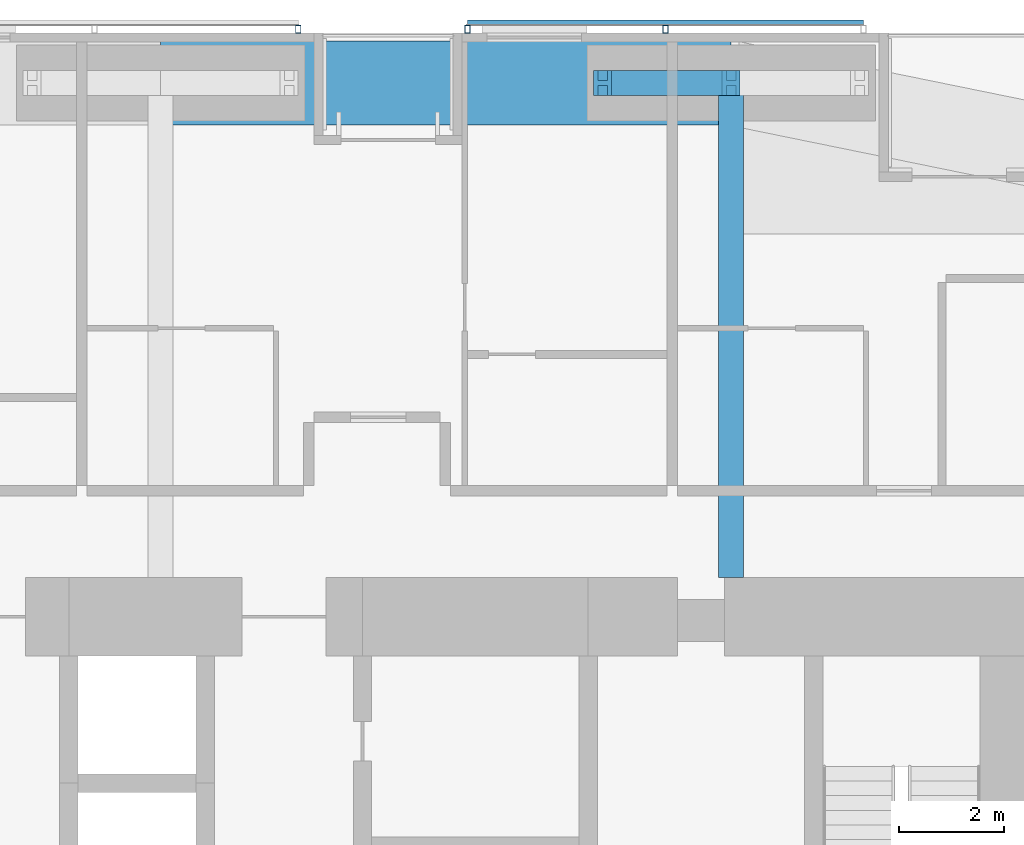
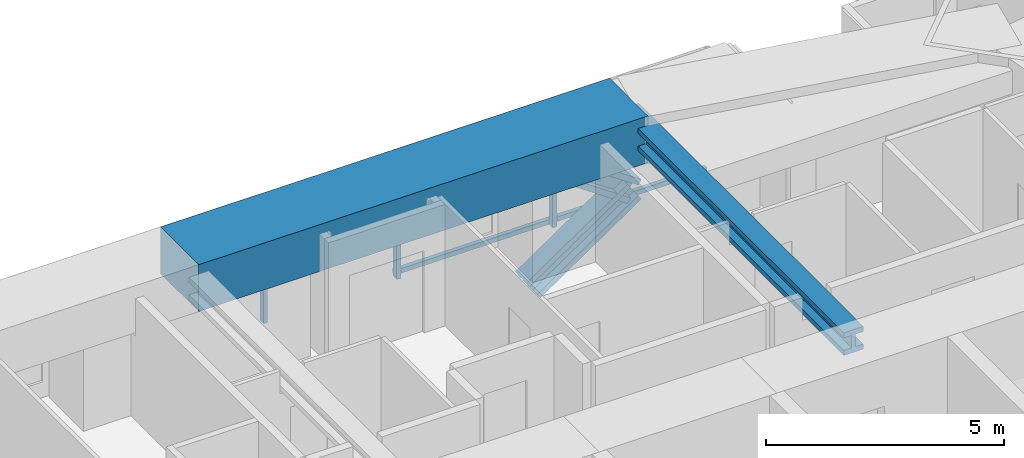
# One storey, part 13 of 23: 6 members, 2 beams, 2 elements without a shape of their own.
"""IFC4 building model written with IfcOpenShell, lengths in metres."""

import ifcopenshell
import ifcopenshell.guid

model = None  # the IFC model being written
_history = None  # IfcOwnerHistory: only IFC2X3 demands one
_inside = {}  # id of a spatial element -> (the spatial element, [elements in it])
_under = {}  # id of a project, library or spatial element -> (it, [spatial elements below it])
_declared = {}  # id of a project -> (the project, [libraries it declares])
_typed = {}  # id of a type object -> (the type object, [elements of that type])
_made_of = {}  # id of a material, layer set ... -> (it, [elements and type objects made of it])


def new_model(schema):
    """Start an empty IFC model of exactly this schema.

    Asked for "IFC4X3", IfcOpenShell would pick the latest addendum, in which some entities
    have other attributes; the version numbers below select the first issue.
    IFC2X3 requires an IfcOwnerHistory on every rooted entity: one is made here for all.
    """
    global model, _history
    if schema == "IFC4X3":
        model = ifcopenshell.file(schema_version=(4, 3, 0, 0))
    else:
        model = ifcopenshell.file(schema=schema)
    _inside.clear()
    _under.clear()
    _declared.clear()
    _typed.clear()
    _made_of.clear()
    _history = None
    if model.schema == "IFC2X3":
        org = make("IfcOrganization", Name="unknown")
        user = make(
            "IfcPersonAndOrganization",
            ThePerson=make("IfcPerson", FamilyName="unknown"),
            TheOrganization=org,
        )
        app = make(
            "IfcApplication",
            ApplicationDeveloper=org,
            Version="unknown",
            ApplicationFullName="unknown",
            ApplicationIdentifier="unknown",
        )
        _history = make(
            "IfcOwnerHistory",
            OwningUser=user,
            OwningApplication=app,
            ChangeAction="ADDED",
            CreationDate=0,
        )
    return model


def make(cls, **values):
    """One entity of the class cls with the attributes given. An attribute that is None is left unset."""
    return model.create_entity(
        cls, **{name: value for name, value in values.items() if value is not None}
    )


def rooted(cls, **values):
    """An entity with a GlobalId (a new one), such as an element, a storey or a relation."""
    return make(cls, GlobalId=ifcopenshell.guid.new(), OwnerHistory=_history, **values)


def si_unit(unit_type, name, prefix=None):
    """IfcSIUnit, for example si_unit("LENGTHUNIT", "METRE", prefix="MILLI")."""
    return make("IfcSIUnit", UnitType=unit_type, Prefix=prefix, Name=name)


def assignment(units):
    """IfcUnitAssignment: the units of a project."""
    return None if units is None else make("IfcUnitAssignment", Units=units)


def point(xyz):
    """IfcCartesianPoint."""
    return None if xyz is None else make("IfcCartesianPoint", Coordinates=xyz)


def direction(xyz):
    """IfcDirection."""
    return None if xyz is None else make("IfcDirection", DirectionRatios=xyz)


def frame(location, z_axis=None, x_axis=None):
    """IfcAxis2Placement3D, a coordinate frame: its origin and axes. An axis left out is left unset."""
    return make(
        "IfcAxis2Placement3D",
        Location=point(location),
        Axis=direction(z_axis),
        RefDirection=direction(x_axis),
    )


def frame_2d(location, x_axis=None):
    """IfcAxis2Placement2D, a coordinate frame in the plane: its origin and x axis."""
    return make(
        "IfcAxis2Placement2D", Location=point(location), RefDirection=direction(x_axis)
    )


def origin():
    """The frame at (0, 0, 0) with its axes left unset."""
    return frame((0.0, 0.0, 0.0))


def origin_2d():
    """The frame at (0, 0) in the plane with its x axis left unset."""
    return frame_2d((0.0, 0.0))


def place(relative_to, where):
    """IfcLocalPlacement: puts the frame where relative to a parent placement (None: the world)."""
    return make(
        "IfcLocalPlacement", PlacementRelTo=relative_to, RelativePlacement=where
    )


def context(
    kind, dimensions, precision=None, world=None, true_north=None, identifier=None
):
    """IfcGeometricRepresentationContext, for example the 3D "Model" context."""
    return make(
        "IfcGeometricRepresentationContext",
        ContextIdentifier=identifier,
        ContextType=kind,
        CoordinateSpaceDimension=dimensions,
        Precision=precision,
        WorldCoordinateSystem=world,
        TrueNorth=true_north,
    )


def subcontext(parent, identifier, kind, view, scale=None):
    """IfcGeometricRepresentationSubContext, for example "Body" below "Model"."""
    return make(
        "IfcGeometricRepresentationSubContext",
        ContextIdentifier=identifier,
        ContextType=kind,
        ParentContext=parent,
        TargetScale=scale,
        TargetView=view,
    )


def project(units=None, contexts=None):
    """IfcProject with its units and contexts."""
    return rooted(
        "IfcProject",
        Name="project",
        RepresentationContexts=contexts,
        UnitsInContext=assignment(units),
    )


def spatial(cls, under=None, at=None, **own):
    """A site, building, storey or space (cls), placed at a placement, below another one or the project."""
    s = rooted(cls, ObjectPlacement=at, **own)
    if under is not None:
        _under.setdefault(under.id(), (under, []))[1].append(s)
    return s


def profile(cls, at=None, kind="AREA", **sizes):
    """A parametric profile (cls). Its sizes go by their IFC names, for example OverallWidth=200.0."""
    return make(cls, ProfileType=kind, Position=at, **sizes)


def rectangle(**sizes):
    """IfcRectangleProfileDef."""
    return profile("IfcRectangleProfileDef", **sizes)


def hollow_rectangle(**sizes):
    """IfcRectangleHollowProfileDef."""
    return profile("IfcRectangleHollowProfileDef", **sizes)


def i_section(**sizes):
    """IfcIShapeProfileDef."""
    return profile("IfcIShapeProfileDef", **sizes)


def extrude(swept, where, along, depth):
    """IfcExtrudedAreaSolid: the profile swept, set in the frame where, extruded along a direction by depth."""
    return make(
        "IfcExtrudedAreaSolid",
        SweptArea=swept,
        Position=where,
        ExtrudedDirection=direction(along),
        Depth=depth,
    )


def shape(context_of_items, identifier, shape_type, items):
    """IfcShapeRepresentation: the items that make up one representation, for example the "Body"."""
    return make(
        "IfcShapeRepresentation",
        ContextOfItems=context_of_items,
        RepresentationIdentifier=identifier,
        RepresentationType=shape_type,
        Items=items,
    )


def material(Name=None, Category=None):
    """IfcMaterial."""
    return make("IfcMaterial", Name=Name, Category=Category)


def material_profile(
    of_material, cross_section, Name=None, Category=None, Priority=None
):
    """IfcMaterialProfile: a cross section and its material."""
    return make(
        "IfcMaterialProfile",
        Name=Name,
        Material=of_material,
        Profile=cross_section,
        Priority=Priority,
        Category=Category,
    )


def profile_set(profiles, Name=None, composite=None):
    """IfcMaterialProfileSet."""
    return make(
        "IfcMaterialProfileSet",
        Name=Name,
        MaterialProfiles=profiles,
        CompositeProfile=composite,
    )


def made_of(thing, what):
    """Note that an element or type object is made of a material, layer set ...; save() writes the relation."""
    if what is not None:
        _made_of.setdefault(what.id(), (what, []))[1].append(thing)
    return thing


def type_object(cls, material=None, **own):
    """A type object (cls), such as IfcWallType, which elements share."""
    return made_of(rooted(cls, **own), material)


def element(
    cls,
    number,
    at=None,
    inside=None,
    cuts=None,
    type_object=None,
    material=None,
    context=None,
    identifier="Body",
    shape_type=None,
    held_by="IfcProductDefinitionShape",
    body=None,
    shapes=None,
    **own,
):
    """One element of the class cls, such as IfcWall. Its Tag is "e" and its number.

    at: its placement. inside: the storey or other place that contains it. cuts: it is an
    opening in that element (IfcRelVoidsElement). A single representation is given by context,
    identifier, shape_type and body (its items); several are given by shapes. held_by: the class
    of the entity that holds the representations. save() writes the other relations.
    """
    e = rooted(cls, Tag="e%d" % number, ObjectPlacement=at, **own)
    if body is not None:
        shapes = [shape(context, identifier, shape_type, body)]
    if shapes is not None:
        e.Representation = make(held_by, Representations=shapes)
    if inside is not None:
        _inside.setdefault(inside.id(), (inside, []))[1].append(e)
    if cuts is not None:
        rooted(
            "IfcRelVoidsElement", RelatingBuildingElement=cuts, RelatedOpeningElement=e
        )
    if type_object is not None:
        _typed.setdefault(type_object.id(), (type_object, []))[1].append(e)
    return made_of(e, material)


def aggregate(whole, parts):
    """IfcRelAggregates: a whole, such as a stair, and the parts it consists of."""
    return rooted("IfcRelAggregates", RelatingObject=whole, RelatedObjects=parts)


def save(model, path):
    """Write the relations noted so far, then the file.

    IfcRelAggregates (storeys below a building ...), IfcRelContainedInSpatialStructure (elements
    in a storey), IfcRelDefinesByType, IfcRelAssociatesMaterial and IfcRelDeclares: one each for
    every whole, place, type object, material and project.
    """
    for whole, parts in _under.values():
        aggregate(whole, parts)
    for where, things in _inside.values():
        rooted(
            "IfcRelContainedInSpatialStructure",
            RelatedElements=things,
            RelatingStructure=where,
        )
    for kind, things in _typed.values():
        rooted("IfcRelDefinesByType", RelatedObjects=things, RelatingType=kind)
    for what, things in _made_of.values():
        rooted("IfcRelAssociatesMaterial", RelatedObjects=things, RelatingMaterial=what)
    for by, libraries in _declared.values():
        rooted("IfcRelDeclares", RelatingContext=by, RelatedDefinitions=libraries)
    model.write(path)


model = new_model("IFC4")

# Units and contexts
model_context = context("Model", 3, precision=1e-05, world=origin(), true_north=direction((0.0, 1.0)))
body_context = subcontext(model_context, "Body", "Model", "MODEL_VIEW")
ifc_project = project(units=[si_unit("LENGTHUNIT", "METRE"), si_unit("AREAUNIT", "SQUARE_METRE"), si_unit("VOLUMEUNIT", "CUBIC_METRE"), si_unit("PLANEANGLEUNIT", "RADIAN"), si_unit("MASSUNIT", "GRAM", prefix="KILO")], contexts=[model_context])

# Site, building, storey
site_placement = place(None, origin())
site = spatial("IfcSite", under=ifc_project, at=site_placement, CompositionType="ELEMENT")
building_placement = place(site_placement, origin())
building = spatial("IfcBuilding", under=site, at=building_placement, Name="Jalousie Tower", CompositionType="ELEMENT")
storey_placement = place(building_placement, frame((0.0, 0.0, 88.10009765625)))
storey = spatial("IfcBuildingStorey", under=building, at=storey_placement, Name="L23", CompositionType="ELEMENT", Elevation=88.10009765625)

# Beam
ifc_material_1 = material(Name="Steel ASTM A992 Grade 50", Category="steel")
ifc_material_profile_1 = material_profile(ifc_material_1, i_section(OverallWidth=0.472412109375, OverallDepth=0.5791015625, WebThickness=0.094970703125, FlangeThickness=0.1298828125, at=origin_2d()), Name="W14X808")
ifc_profile_set_1 = profile_set([ifc_material_profile_1], Name="Steel ASTM A992 Grade 50")
beam_type_1 = type_object("IfcBeamType", Name="LEAN COLLECTOR W14X808", PredefinedType="BEAM", material=ifc_profile_set_1)
beam_1_placement = place(storey_placement, frame((38.625, 37.050048828125, 2.8203125), z_axis=(0.0, -1.0, 0.0), x_axis=(1.0, 0.0, 0.0)))
element("IfcBeam", 1, at=beam_1_placement, inside=storey, type_object=beam_type_1, Name="Lean collector under L24", PredefinedType="BEAM", context=body_context, shape_type="SweptSolid", body=[
    extrude(i_section(OverallWidth=0.472412109375, OverallDepth=0.5791015625, WebThickness=0.094970703125, FlangeThickness=0.1298828125, at=origin_2d()), origin(), (0.0, 0.0, 1.0), 9.425048828125),
])

# Members
ifc_material_2 = material(Name="Steel ASTM A992 Grade 50", Category="steel")
ifc_material_profile_2 = material_profile(ifc_material_2, i_section(OverallWidth=0.4775390625, OverallDepth=0.599365234375, WebThickness=0.10009765625, FlangeThickness=0.139892578125, at=origin_2d()), Name="W14X873")
ifc_profile_set_2 = profile_set([ifc_material_profile_2], Name="Steel ASTM A992 Grade 50")
member_type_1 = type_object("IfcMemberType", Name="PERIMETER BRACE W14X873", PredefinedType="BRACE", material=ifc_profile_set_2)
for number, where, z_axis, x_axis, name in (
    (2, (36.175048828125, 37.050048828125, -0.60009765625), (0.825500916831, 0.0, 0.564400776321), (0.0, 1.0, 0.0), "Perimeter brace 09 L23 part 1"),
    (3, (38.625, 37.050048828125, 1.074951171875), (-0.825500916831, 0.0, 0.564400776321), (0.0, -1.0, 0.0), "Perimeter brace 09 L23 part 4"),
):
    element("IfcMember", number, at=place(storey_placement, frame(where, z_axis=z_axis, x_axis=x_axis)), inside=storey, type_object=member_type_1, Name=name, PredefinedType="BRACE", context=body_context, shape_type="SweptSolid", body=[
        extrude(i_section(OverallWidth=0.4775390625, OverallDepth=0.599365234375, WebThickness=0.10009765625, FlangeThickness=0.139892578125, at=origin_2d()), origin(), (0.0, 0.0, 1.0), 2.9677734375),
    ])

# Beam
ifc_material_3 = material(Name="Concrete f'c 40 MPa", Category="concrete")
ifc_material_profile_3 = material_profile(ifc_material_3, rectangle(XDim=1.60009765625, YDim=1.199951171875, at=origin_2d()), Name="RC 1600x1200")
ifc_profile_set_3 = profile_set([ifc_material_profile_3], Name="Concrete f'c 40 MPa")
beam_type_2 = type_object("IfcBeamType", Name="RC BEAM 1600x1200", PredefinedType="BEAM", material=ifc_profile_set_3)
beam_2_placement = place(storey_placement, frame((38.625, 37.050048828125, 2.75), z_axis=(-1.0, 0.0, 0.0), x_axis=(0.0, -1.0, 0.0)))
element("IfcBeam", 4, at=beam_2_placement, inside=storey, type_object=beam_type_2, Name="Edge band beam 09-10 under L24", PredefinedType="BEAM", context=body_context, shape_type="SweptSolid", body=[
    extrude(rectangle(XDim=1.60009765625, YDim=1.199951171875, at=origin_2d()), origin(), (0.0, 0.0, 1.0), 10.875),
])

# Curtain wall, members
ifc_material_4 = material(Name="Perforated aluminium sheet", Category="aluminium")
curtain_wall_type = type_object("IfcCurtainWallType", Name="SOLAR SCREEN SS-1", PredefinedType="USERDEFINED", material=ifc_material_4)
curtain_wall_1_placement = place(storey_placement, origin())
curtain_wall_1 = element("IfcCurtainWall", 5, at=curtain_wall_1_placement, inside=storey, type_object=curtain_wall_type, Name="Solar screen L23", ObjectType="SOLAR SCREEN SS-1", PredefinedType="USERDEFINED")
ifc_material_5 = material(Name="Steel ASTM A500 Grade C", Category="steel")
ifc_material_profile_4 = material_profile(ifc_material_5, hollow_rectangle(XDim=0.1015625, YDim=0.15234375, WallThickness=0.00634765625, at=origin_2d()), Name="HSS6X4X1/4")
ifc_profile_set_4 = profile_set([ifc_material_profile_4], Name="Steel ASTM A500 Grade C")
member_type_2 = type_object("IfcMemberType", Name="SOLAR SCREEN SS-1 MULLION", PredefinedType="MULLION", material=ifc_profile_set_4)
member_1_placement = place(storey_placement, frame((37.374267578125, 38.0712890625, -0.1201171875), z_axis=(0.0, 0.0, 1.0), x_axis=(-1.0, 0.0, 0.0)))
member_1 = element("IfcMember", 6, at=member_1_placement, type_object=member_type_2, Name="SS1 post 2", PredefinedType="MULLION", context=body_context, shape_type="SweptSolid", body=[
    extrude(hollow_rectangle(XDim=0.1015625, YDim=0.15234375, WallThickness=0.00634765625, at=origin_2d()), origin(), (0.0, 0.0, 1.0), 3.22998046875),
])
member_2_placement = place(storey_placement, frame((33.60009765625, 38.0712890625, -0.1201171875), z_axis=(0.0, 0.0, 1.0), x_axis=(-1.0, 0.0, 0.0)))
member_2 = element("IfcMember", 7, at=member_2_placement, type_object=member_type_2, Name="SS1 post 3", PredefinedType="MULLION", context=body_context, shape_type="SweptSolid", body=[
    extrude(hollow_rectangle(XDim=0.1015625, YDim=0.15234375, WallThickness=0.00634765625, at=origin_2d()), origin(), (0.0, 0.0, 1.0), 3.22998046875),
])

# Curtain wall, member
curtain_wall_2_placement = place(storey_placement, origin())
curtain_wall_2 = element("IfcCurtainWall", 8, at=curtain_wall_2_placement, inside=storey, type_object=curtain_wall_type, Name="Solar screen L23", ObjectType="SOLAR SCREEN SS-1", PredefinedType="USERDEFINED")
member_3_placement = place(storey_placement, frame((30.375, 38.0712890625, -0.1201171875), z_axis=(0.0, 0.0, 1.0), x_axis=(-1.0, 0.0, 0.0)))
member_3 = element("IfcMember", 9, at=member_3_placement, type_object=member_type_2, Name="SS1 post 1", PredefinedType="MULLION", context=body_context, shape_type="SweptSolid", body=[
    extrude(hollow_rectangle(XDim=0.1015625, YDim=0.15234375, WallThickness=0.00634765625, at=origin_2d()), origin(), (0.0, 0.0, 1.0), 3.22998046875),
])
aggregate(curtain_wall_2, [member_3])

# Member
ifc_material_6 = material(Name="Extruded aluminium screen rail", Category="aluminium")
ifc_material_profile_5 = material_profile(ifc_material_6, rectangle(XDim=0.1015625, YDim=0.1201171875, at=origin_2d()), Name="RAIL 102x120")
ifc_profile_set_5 = profile_set([ifc_material_profile_5], Name="Extruded aluminium screen rail")
member_type_3 = type_object("IfcMemberType", Name="SOLAR SCREEN SS-1 TRANSOM", PredefinedType="USERDEFINED", material=ifc_profile_set_5)
member_4_placement = place(storey_placement, frame((41.148681640625, 38.1982421875, -0.06005859375), z_axis=(-1.0, 0.0, 0.0), x_axis=(0.0, -1.0, 0.0)))
member_4 = element("IfcMember", 10, at=member_4_placement, type_object=member_type_3, Name="SS1 rail", ObjectType="TRANSOM", PredefinedType="USERDEFINED", context=body_context, shape_type="SweptSolid", body=[
    extrude(rectangle(XDim=0.1015625, YDim=0.1201171875, at=origin_2d()), origin(), (0.0, 0.0, 1.0), 7.548583984375),
])

aggregate(curtain_wall_1, [member_1, member_2, member_4])

save(model, "model.ifc")
